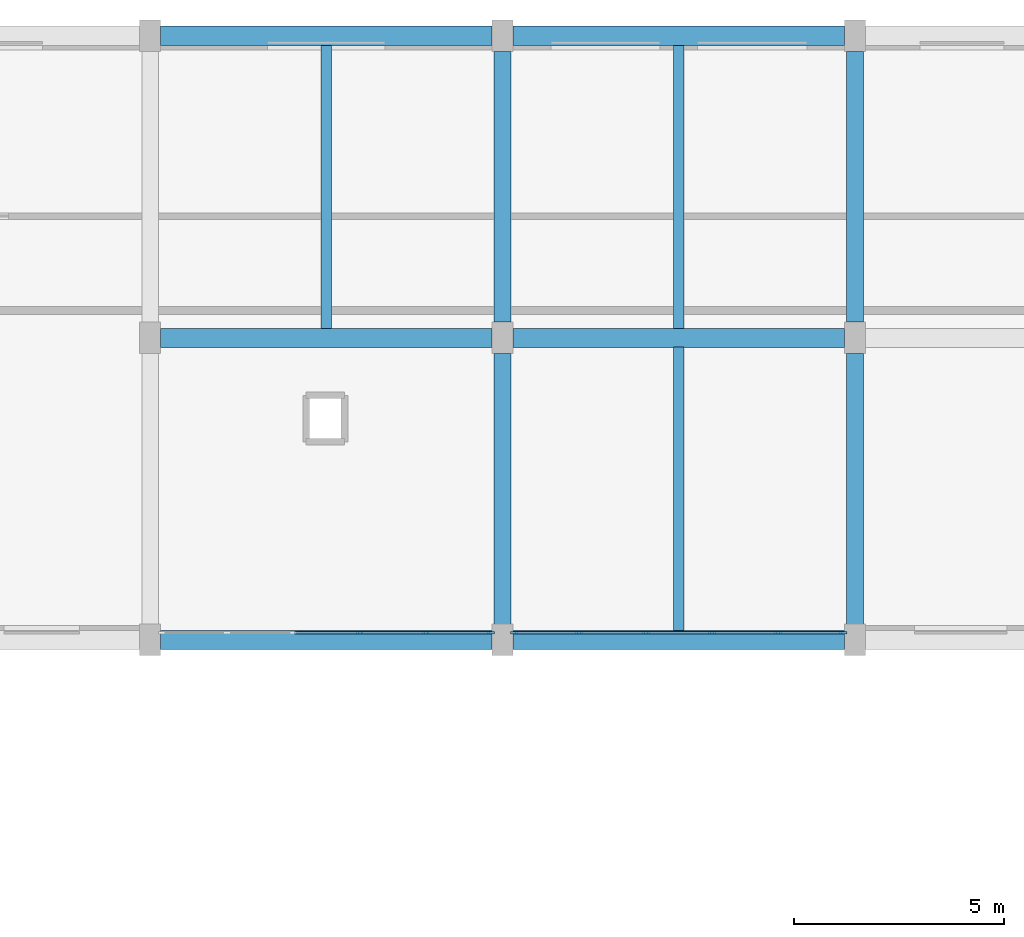
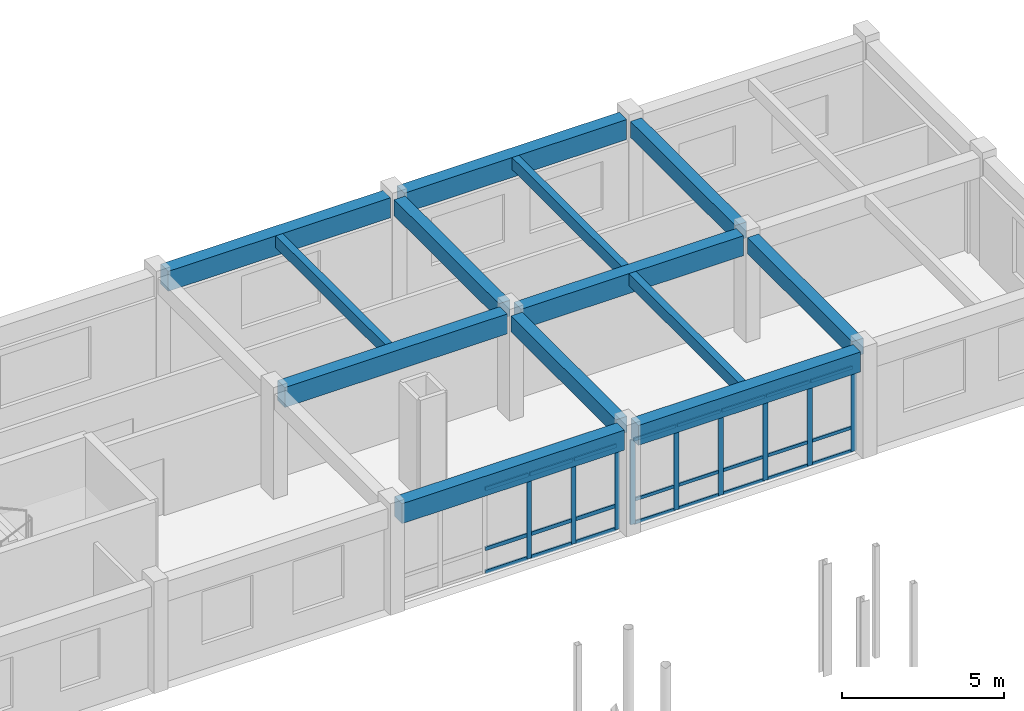
# One storey, part 52 of 90: 33 members, 13 beams, 2 elements without a shape of their own.
"""IFC4 building model written with IfcOpenShell, lengths in metres."""

import ifcopenshell
import ifcopenshell.guid

model = None  # the IFC model being written
_history = None  # IfcOwnerHistory: only IFC2X3 demands one
_inside = {}  # id of a spatial element -> (the spatial element, [elements in it])
_under = {}  # id of a project, library or spatial element -> (it, [spatial elements below it])
_declared = {}  # id of a project -> (the project, [libraries it declares])
_typed = {}  # id of a type object -> (the type object, [elements of that type])
_made_of = {}  # id of a material, layer set ... -> (it, [elements and type objects made of it])


def new_model(schema):
    """Start an empty IFC model of exactly this schema.

    Asked for "IFC4X3", IfcOpenShell would pick the latest addendum, in which some entities
    have other attributes; the version numbers below select the first issue.
    IFC2X3 requires an IfcOwnerHistory on every rooted entity: one is made here for all.
    """
    global model, _history
    if schema == "IFC4X3":
        model = ifcopenshell.file(schema_version=(4, 3, 0, 0))
    else:
        model = ifcopenshell.file(schema=schema)
    _inside.clear()
    _under.clear()
    _declared.clear()
    _typed.clear()
    _made_of.clear()
    _history = None
    if model.schema == "IFC2X3":
        org = make("IfcOrganization", Name="unknown")
        user = make(
            "IfcPersonAndOrganization",
            ThePerson=make("IfcPerson", FamilyName="unknown"),
            TheOrganization=org,
        )
        app = make(
            "IfcApplication",
            ApplicationDeveloper=org,
            Version="unknown",
            ApplicationFullName="unknown",
            ApplicationIdentifier="unknown",
        )
        _history = make(
            "IfcOwnerHistory",
            OwningUser=user,
            OwningApplication=app,
            ChangeAction="ADDED",
            CreationDate=0,
        )
    return model


def make(cls, **values):
    """One entity of the class cls with the attributes given. An attribute that is None is left unset."""
    return model.create_entity(
        cls, **{name: value for name, value in values.items() if value is not None}
    )


def rooted(cls, **values):
    """An entity with a GlobalId (a new one), such as an element, a storey or a relation."""
    return make(cls, GlobalId=ifcopenshell.guid.new(), OwnerHistory=_history, **values)


def si_unit(unit_type, name, prefix=None):
    """IfcSIUnit, for example si_unit("LENGTHUNIT", "METRE", prefix="MILLI")."""
    return make("IfcSIUnit", UnitType=unit_type, Prefix=prefix, Name=name)


def assignment(units):
    """IfcUnitAssignment: the units of a project."""
    return None if units is None else make("IfcUnitAssignment", Units=units)


def point(xyz):
    """IfcCartesianPoint."""
    return None if xyz is None else make("IfcCartesianPoint", Coordinates=xyz)


def direction(xyz):
    """IfcDirection."""
    return None if xyz is None else make("IfcDirection", DirectionRatios=xyz)


def frame(location, z_axis=None, x_axis=None):
    """IfcAxis2Placement3D, a coordinate frame: its origin and axes. An axis left out is left unset."""
    return make(
        "IfcAxis2Placement3D",
        Location=point(location),
        Axis=direction(z_axis),
        RefDirection=direction(x_axis),
    )


def frame_2d(location, x_axis=None):
    """IfcAxis2Placement2D, a coordinate frame in the plane: its origin and x axis."""
    return make(
        "IfcAxis2Placement2D", Location=point(location), RefDirection=direction(x_axis)
    )


def origin():
    """The frame at (0, 0, 0) with its axes left unset."""
    return frame((0.0, 0.0, 0.0))


def origin_2d():
    """The frame at (0, 0) in the plane with its x axis left unset."""
    return frame_2d((0.0, 0.0))


def place(relative_to, where):
    """IfcLocalPlacement: puts the frame where relative to a parent placement (None: the world)."""
    return make(
        "IfcLocalPlacement", PlacementRelTo=relative_to, RelativePlacement=where
    )


def context(
    kind, dimensions, precision=None, world=None, true_north=None, identifier=None
):
    """IfcGeometricRepresentationContext, for example the 3D "Model" context."""
    return make(
        "IfcGeometricRepresentationContext",
        ContextIdentifier=identifier,
        ContextType=kind,
        CoordinateSpaceDimension=dimensions,
        Precision=precision,
        WorldCoordinateSystem=world,
        TrueNorth=true_north,
    )


def subcontext(parent, identifier, kind, view, scale=None):
    """IfcGeometricRepresentationSubContext, for example "Body" below "Model"."""
    return make(
        "IfcGeometricRepresentationSubContext",
        ContextIdentifier=identifier,
        ContextType=kind,
        ParentContext=parent,
        TargetScale=scale,
        TargetView=view,
    )


def project(units=None, contexts=None):
    """IfcProject with its units and contexts."""
    return rooted(
        "IfcProject",
        Name="project",
        RepresentationContexts=contexts,
        UnitsInContext=assignment(units),
    )


def spatial(cls, under=None, at=None, **own):
    """A site, building, storey or space (cls), placed at a placement, below another one or the project."""
    s = rooted(cls, ObjectPlacement=at, **own)
    if under is not None:
        _under.setdefault(under.id(), (under, []))[1].append(s)
    return s


def profile(cls, at=None, kind="AREA", **sizes):
    """A parametric profile (cls). Its sizes go by their IFC names, for example OverallWidth=200.0."""
    return make(cls, ProfileType=kind, Position=at, **sizes)


def rectangle(**sizes):
    """IfcRectangleProfileDef."""
    return profile("IfcRectangleProfileDef", **sizes)


def extrude(swept, where, along, depth):
    """IfcExtrudedAreaSolid: the profile swept, set in the frame where, extruded along a direction by depth."""
    return make(
        "IfcExtrudedAreaSolid",
        SweptArea=swept,
        Position=where,
        ExtrudedDirection=direction(along),
        Depth=depth,
    )


def shape(context_of_items, identifier, shape_type, items):
    """IfcShapeRepresentation: the items that make up one representation, for example the "Body"."""
    return make(
        "IfcShapeRepresentation",
        ContextOfItems=context_of_items,
        RepresentationIdentifier=identifier,
        RepresentationType=shape_type,
        Items=items,
    )


def material(Name=None, Category=None):
    """IfcMaterial."""
    return make("IfcMaterial", Name=Name, Category=Category)


def material_profile(
    of_material, cross_section, Name=None, Category=None, Priority=None
):
    """IfcMaterialProfile: a cross section and its material."""
    return make(
        "IfcMaterialProfile",
        Name=Name,
        Material=of_material,
        Profile=cross_section,
        Priority=Priority,
        Category=Category,
    )


def profile_set(profiles, Name=None, composite=None):
    """IfcMaterialProfileSet."""
    return make(
        "IfcMaterialProfileSet",
        Name=Name,
        MaterialProfiles=profiles,
        CompositeProfile=composite,
    )


def made_of(thing, what):
    """Note that an element or type object is made of a material, layer set ...; save() writes the relation."""
    if what is not None:
        _made_of.setdefault(what.id(), (what, []))[1].append(thing)
    return thing


def type_object(cls, material=None, **own):
    """A type object (cls), such as IfcWallType, which elements share."""
    return made_of(rooted(cls, **own), material)


def element(
    cls,
    number,
    at=None,
    inside=None,
    cuts=None,
    type_object=None,
    material=None,
    context=None,
    identifier="Body",
    shape_type=None,
    held_by="IfcProductDefinitionShape",
    body=None,
    shapes=None,
    **own,
):
    """One element of the class cls, such as IfcWall. Its Tag is "e" and its number.

    at: its placement. inside: the storey or other place that contains it. cuts: it is an
    opening in that element (IfcRelVoidsElement). A single representation is given by context,
    identifier, shape_type and body (its items); several are given by shapes. held_by: the class
    of the entity that holds the representations. save() writes the other relations.
    """
    e = rooted(cls, Tag="e%d" % number, ObjectPlacement=at, **own)
    if body is not None:
        shapes = [shape(context, identifier, shape_type, body)]
    if shapes is not None:
        e.Representation = make(held_by, Representations=shapes)
    if inside is not None:
        _inside.setdefault(inside.id(), (inside, []))[1].append(e)
    if cuts is not None:
        rooted(
            "IfcRelVoidsElement", RelatingBuildingElement=cuts, RelatedOpeningElement=e
        )
    if type_object is not None:
        _typed.setdefault(type_object.id(), (type_object, []))[1].append(e)
    return made_of(e, material)


def aggregate(whole, parts):
    """IfcRelAggregates: a whole, such as a stair, and the parts it consists of."""
    return rooted("IfcRelAggregates", RelatingObject=whole, RelatedObjects=parts)


def save(model, path):
    """Write the relations noted so far, then the file.

    IfcRelAggregates (storeys below a building ...), IfcRelContainedInSpatialStructure (elements
    in a storey), IfcRelDefinesByType, IfcRelAssociatesMaterial and IfcRelDeclares: one each for
    every whole, place, type object, material and project.
    """
    for whole, parts in _under.values():
        aggregate(whole, parts)
    for where, things in _inside.values():
        rooted(
            "IfcRelContainedInSpatialStructure",
            RelatedElements=things,
            RelatingStructure=where,
        )
    for kind, things in _typed.values():
        rooted("IfcRelDefinesByType", RelatedObjects=things, RelatingType=kind)
    for what, things in _made_of.values():
        rooted("IfcRelAssociatesMaterial", RelatedObjects=things, RelatingMaterial=what)
    for by, libraries in _declared.values():
        rooted("IfcRelDeclares", RelatingContext=by, RelatedDefinitions=libraries)
    model.write(path)


model = new_model("IFC4")

# Units and contexts
model_context = context("Model", 3, precision=1e-05, world=origin(), true_north=direction((0.0, 1.0)))
body_context = subcontext(model_context, "Body", "Model", "MODEL_VIEW")
ifc_project = project(units=[si_unit("LENGTHUNIT", "METRE"), si_unit("AREAUNIT", "SQUARE_METRE"), si_unit("VOLUMEUNIT", "CUBIC_METRE"), si_unit("PLANEANGLEUNIT", "RADIAN"), si_unit("MASSUNIT", "GRAM", prefix="KILO")], contexts=[model_context])

# Site, building, storey
site_placement = place(None, origin())
site = spatial("IfcSite", under=ifc_project, at=site_placement, CompositionType="ELEMENT")
building_placement = place(site_placement, origin())
building = spatial("IfcBuilding", under=site, at=building_placement, Name="Malvenik Polytechnic", CompositionType="ELEMENT")
storey_placement = place(building_placement, frame((0.0, 0.0, 9.300048828125)))
storey = spatial("IfcBuildingStorey", under=building, at=storey_placement, Name="L02", CompositionType="ELEMENT", Elevation=9.300048828125)

# Curtain wall, members
ifc_material_1 = material(Name="Anodised aluminium 6060-T6", Category="aluminium")
curtain_wall_type = type_object("IfcCurtainWallType", Name="ARC-CW-CW-03", PredefinedType="NOTDEFINED", material=ifc_material_1)
curtain_wall_1_placement = place(storey_placement, origin())
curtain_wall_1 = element("IfcCurtainWall", 1, at=curtain_wall_1_placement, inside=storey, type_object=curtain_wall_type, Name="Unitised Curtain Wall CW-03 L02 #158", PredefinedType="NOTDEFINED")
ifc_material_2 = material(Name="Anodised aluminium", Category="aluminium")
ifc_material_profile_1 = material_profile(ifc_material_2, rectangle(XDim=0.06005859375, YDim=0.159912109375, at=origin_2d()), Name="ALU MULLION 60x160")
ifc_profile_set_1 = profile_set([ifc_material_profile_1], Name="Anodised aluminium")
member_type_1 = type_object("IfcMemberType", Name="ARC-CWM-160", PredefinedType="MULLION", material=ifc_profile_set_1)
member_1_placement = place(storey_placement, frame((117.322021484375, 115.3701171875, 0.0), z_axis=(0.0, 0.0, 1.0), x_axis=(0.0, -1.0, 0.0)))
member_1 = element("IfcMember", 2, at=member_1_placement, type_object=member_type_1, Name="CW-03 mullion 1", PredefinedType="MULLION", context=body_context, shape_type="SweptSolid", body=[
    extrude(rectangle(XDim=0.06005859375, YDim=0.159912109375, at=origin_2d()), origin(), (0.0, 0.0, 1.0), 3.179931640625),
])
member_2_placement = place(storey_placement, frame((115.771240234375, 115.3701171875, 0.0), z_axis=(0.0, 0.0, 1.0), x_axis=(0.0, -1.0, 0.0)))
member_2 = element("IfcMember", 3, at=member_2_placement, type_object=member_type_1, Name="CW-03 mullion 2", PredefinedType="MULLION", context=body_context, shape_type="SweptSolid", body=[
    extrude(rectangle(XDim=0.06005859375, YDim=0.159912109375, at=origin_2d()), origin(), (0.0, 0.0, 1.0), 3.179931640625),
])
member_3_placement = place(storey_placement, frame((114.1904296875, 115.3701171875, 0.0), z_axis=(0.0, 0.0, 1.0), x_axis=(0.0, -1.0, 0.0)))
member_3 = element("IfcMember", 4, at=member_3_placement, type_object=member_type_1, Name="CW-03 mullion 3", PredefinedType="MULLION", context=body_context, shape_type="SweptSolid", body=[
    extrude(rectangle(XDim=0.06005859375, YDim=0.159912109375, at=origin_2d()), origin(), (0.0, 0.0, 1.0), 3.179931640625),
])

curtain_wall_2_placement = place(storey_placement, origin())
curtain_wall_2 = element("IfcCurtainWall", 5, at=curtain_wall_2_placement, inside=storey, type_object=curtain_wall_type, Name="Unitised Curtain Wall CW-03 L02 #157", PredefinedType="NOTDEFINED")
ifc_material_profile_2 = material_profile(ifc_material_2, rectangle(XDim=0.06005859375, YDim=0.179931640625, at=origin_2d()), Name="ALU MULLION 60x180")
ifc_profile_set_2 = profile_set([ifc_material_profile_2], Name="Anodised aluminium")
member_type_2 = type_object("IfcMemberType", Name="ARC-CWM-180", PredefinedType="MULLION", material=ifc_profile_set_2)
member_4_placement = place(storey_placement, frame((125.721923828125, 115.3701171875, 0.0), z_axis=(0.0, 0.0, 1.0), x_axis=(0.0, -1.0, 0.0)))
member_4 = element("IfcMember", 6, at=member_4_placement, type_object=member_type_2, Name="CW-03 mullion 1", PredefinedType="MULLION", context=body_context, shape_type="SweptSolid", body=[
    extrude(rectangle(XDim=0.06005859375, YDim=0.179931640625, at=origin_2d()), origin(), (0.0, 0.0, 1.0), 3.179931640625),
])
member_5_placement = place(storey_placement, frame((124.171142578125, 115.3701171875, 0.0), z_axis=(0.0, 0.0, 1.0), x_axis=(0.0, -1.0, 0.0)))
member_5 = element("IfcMember", 7, at=member_5_placement, type_object=member_type_2, Name="CW-03 mullion 2", PredefinedType="MULLION", context=body_context, shape_type="SweptSolid", body=[
    extrude(rectangle(XDim=0.06005859375, YDim=0.179931640625, at=origin_2d()), origin(), (0.0, 0.0, 1.0), 3.179931640625),
])
member_6_placement = place(storey_placement, frame((122.59033203125, 115.3701171875, 0.0), z_axis=(0.0, 0.0, 1.0), x_axis=(0.0, -1.0, 0.0)))
member_6 = element("IfcMember", 8, at=member_6_placement, type_object=member_type_2, Name="CW-03 mullion 3", PredefinedType="MULLION", context=body_context, shape_type="SweptSolid", body=[
    extrude(rectangle(XDim=0.06005859375, YDim=0.179931640625, at=origin_2d()), origin(), (0.0, 0.0, 1.0), 3.179931640625),
])
member_7_placement = place(storey_placement, frame((121.009521484375, 115.3701171875, 0.0), z_axis=(0.0, 0.0, 1.0), x_axis=(0.0, -1.0, 0.0)))
member_7 = element("IfcMember", 9, at=member_7_placement, type_object=member_type_2, Name="CW-03 mullion 4", PredefinedType="MULLION", context=body_context, shape_type="SweptSolid", body=[
    extrude(rectangle(XDim=0.06005859375, YDim=0.179931640625, at=origin_2d()), origin(), (0.0, 0.0, 1.0), 3.179931640625),
])
member_8_placement = place(storey_placement, frame((119.4287109375, 115.3701171875, 0.0), z_axis=(0.0, 0.0, 1.0), x_axis=(0.0, -1.0, 0.0)))
member_8 = element("IfcMember", 10, at=member_8_placement, type_object=member_type_2, Name="CW-03 mullion 5", PredefinedType="MULLION", context=body_context, shape_type="SweptSolid", body=[
    extrude(rectangle(XDim=0.06005859375, YDim=0.179931640625, at=origin_2d()), origin(), (0.0, 0.0, 1.0), 3.179931640625),
])
member_9_placement = place(storey_placement, frame((117.8779296875, 115.3701171875, 0.0), z_axis=(0.0, 0.0, 1.0), x_axis=(0.0, -1.0, 0.0)))
member_9 = element("IfcMember", 11, at=member_9_placement, type_object=member_type_2, Name="CW-03 mullion 6", PredefinedType="MULLION", context=body_context, shape_type="SweptSolid", body=[
    extrude(rectangle(XDim=0.06005859375, YDim=0.179931640625, at=origin_2d()), origin(), (0.0, 0.0, 1.0), 3.179931640625),
])
ifc_material_profile_3 = material_profile(ifc_material_2, rectangle(XDim=0.06005859375, YDim=0.1201171875, at=origin_2d()), Name="ALU TRANSOM 60x120")
ifc_profile_set_3 = profile_set([ifc_material_profile_3], Name="Anodised aluminium")
member_type_3 = type_object("IfcMemberType", Name="ARC-CWT-120", PredefinedType="USERDEFINED", material=ifc_profile_set_3)
member_10_placement = place(storey_placement, frame((125.69189453125, 115.3701171875, 0.030029296875), z_axis=(-1.0, 0.0, 0.0), x_axis=(0.0, -1.0, 0.0)))
member_10 = element("IfcMember", 12, at=member_10_placement, type_object=member_type_3, Name="CW-03 transom 1.1", ObjectType="TRANSOM", PredefinedType="USERDEFINED", context=body_context, shape_type="SweptSolid", body=[
    extrude(rectangle(XDim=0.06005859375, YDim=0.1201171875, at=origin_2d()), origin(), (0.0, 0.0, 1.0), 1.49072265625),
])
member_11_placement = place(storey_placement, frame((125.69189453125, 115.3701171875, 0.89990234375), z_axis=(-1.0, 0.0, 0.0), x_axis=(0.0, -1.0, 0.0)))
member_11 = element("IfcMember", 13, at=member_11_placement, type_object=member_type_3, Name="CW-03 transom 1.2", ObjectType="TRANSOM", PredefinedType="USERDEFINED", context=body_context, shape_type="SweptSolid", body=[
    extrude(rectangle(XDim=0.06005859375, YDim=0.1201171875, at=origin_2d()), origin(), (0.0, 0.0, 1.0), 1.49072265625),
])
member_12_placement = place(storey_placement, frame((125.69189453125, 115.3701171875, 3.14990234375), z_axis=(-1.0, 0.0, 0.0), x_axis=(0.0, -1.0, 0.0)))
member_12 = element("IfcMember", 14, at=member_12_placement, type_object=member_type_3, Name="CW-03 transom 1.3", ObjectType="TRANSOM", PredefinedType="USERDEFINED", context=body_context, shape_type="SweptSolid", body=[
    extrude(rectangle(XDim=0.06005859375, YDim=0.1201171875, at=origin_2d()), origin(), (0.0, 0.0, 1.0), 1.49072265625),
])
member_13_placement = place(storey_placement, frame((124.14111328125, 115.3701171875, 0.030029296875), z_axis=(-1.0, 0.0, 0.0), x_axis=(0.0, -1.0, 0.0)))
member_13 = element("IfcMember", 15, at=member_13_placement, type_object=member_type_3, Name="CW-03 transom 2.1", ObjectType="TRANSOM", PredefinedType="USERDEFINED", context=body_context, shape_type="SweptSolid", body=[
    extrude(rectangle(XDim=0.06005859375, YDim=0.1201171875, at=origin_2d()), origin(), (0.0, 0.0, 1.0), 1.520751953125),
])
member_14_placement = place(storey_placement, frame((124.14111328125, 115.3701171875, 0.89990234375), z_axis=(-1.0, 0.0, 0.0), x_axis=(0.0, -1.0, 0.0)))
member_14 = element("IfcMember", 16, at=member_14_placement, type_object=member_type_3, Name="CW-03 transom 2.2", ObjectType="TRANSOM", PredefinedType="USERDEFINED", context=body_context, shape_type="SweptSolid", body=[
    extrude(rectangle(XDim=0.06005859375, YDim=0.1201171875, at=origin_2d()), origin(), (0.0, 0.0, 1.0), 1.520751953125),
])
member_15_placement = place(storey_placement, frame((124.14111328125, 115.3701171875, 3.14990234375), z_axis=(-1.0, 0.0, 0.0), x_axis=(0.0, -1.0, 0.0)))
member_15 = element("IfcMember", 17, at=member_15_placement, type_object=member_type_3, Name="CW-03 transom 2.3", ObjectType="TRANSOM", PredefinedType="USERDEFINED", context=body_context, shape_type="SweptSolid", body=[
    extrude(rectangle(XDim=0.06005859375, YDim=0.1201171875, at=origin_2d()), origin(), (0.0, 0.0, 1.0), 1.520751953125),
])
member_16_placement = place(storey_placement, frame((122.560302734375, 115.3701171875, 0.030029296875), z_axis=(-1.0, 0.0, 0.0), x_axis=(0.0, -1.0, 0.0)))
member_16 = element("IfcMember", 18, at=member_16_placement, type_object=member_type_3, Name="CW-03 transom 3.1", ObjectType="TRANSOM", PredefinedType="USERDEFINED", context=body_context, shape_type="SweptSolid", body=[
    extrude(rectangle(XDim=0.06005859375, YDim=0.1201171875, at=origin_2d()), origin(), (0.0, 0.0, 1.0), 1.520751953125),
])
member_17_placement = place(storey_placement, frame((122.560302734375, 115.3701171875, 0.89990234375), z_axis=(-1.0, 0.0, 0.0), x_axis=(0.0, -1.0, 0.0)))
member_17 = element("IfcMember", 19, at=member_17_placement, type_object=member_type_3, Name="CW-03 transom 3.2", ObjectType="TRANSOM", PredefinedType="USERDEFINED", context=body_context, shape_type="SweptSolid", body=[
    extrude(rectangle(XDim=0.06005859375, YDim=0.1201171875, at=origin_2d()), origin(), (0.0, 0.0, 1.0), 1.520751953125),
])
member_18_placement = place(storey_placement, frame((122.560302734375, 115.3701171875, 3.14990234375), z_axis=(-1.0, 0.0, 0.0), x_axis=(0.0, -1.0, 0.0)))
member_18 = element("IfcMember", 20, at=member_18_placement, type_object=member_type_3, Name="CW-03 transom 3.3", ObjectType="TRANSOM", PredefinedType="USERDEFINED", context=body_context, shape_type="SweptSolid", body=[
    extrude(rectangle(XDim=0.06005859375, YDim=0.1201171875, at=origin_2d()), origin(), (0.0, 0.0, 1.0), 1.520751953125),
])
member_19_placement = place(storey_placement, frame((120.9794921875, 115.3701171875, 0.030029296875), z_axis=(-1.0, 0.0, 0.0), x_axis=(0.0, -1.0, 0.0)))
member_19 = element("IfcMember", 21, at=member_19_placement, type_object=member_type_3, Name="CW-03 transom 4.1", ObjectType="TRANSOM", PredefinedType="USERDEFINED", context=body_context, shape_type="SweptSolid", body=[
    extrude(rectangle(XDim=0.06005859375, YDim=0.1201171875, at=origin_2d()), origin(), (0.0, 0.0, 1.0), 1.520751953125),
])
member_20_placement = place(storey_placement, frame((120.9794921875, 115.3701171875, 0.89990234375), z_axis=(-1.0, 0.0, 0.0), x_axis=(0.0, -1.0, 0.0)))
member_20 = element("IfcMember", 22, at=member_20_placement, type_object=member_type_3, Name="CW-03 transom 4.2", ObjectType="TRANSOM", PredefinedType="USERDEFINED", context=body_context, shape_type="SweptSolid", body=[
    extrude(rectangle(XDim=0.06005859375, YDim=0.1201171875, at=origin_2d()), origin(), (0.0, 0.0, 1.0), 1.520751953125),
])
member_21_placement = place(storey_placement, frame((120.9794921875, 115.3701171875, 3.14990234375), z_axis=(-1.0, 0.0, 0.0), x_axis=(0.0, -1.0, 0.0)))
member_21 = element("IfcMember", 23, at=member_21_placement, type_object=member_type_3, Name="CW-03 transom 4.3", ObjectType="TRANSOM", PredefinedType="USERDEFINED", context=body_context, shape_type="SweptSolid", body=[
    extrude(rectangle(XDim=0.06005859375, YDim=0.1201171875, at=origin_2d()), origin(), (0.0, 0.0, 1.0), 1.520751953125),
])
member_22_placement = place(storey_placement, frame((119.398681640625, 115.3701171875, 0.030029296875), z_axis=(-1.0, 0.0, 0.0), x_axis=(0.0, -1.0, 0.0)))
member_22 = element("IfcMember", 24, at=member_22_placement, type_object=member_type_3, Name="CW-03 transom 5.1", ObjectType="TRANSOM", PredefinedType="USERDEFINED", context=body_context, shape_type="SweptSolid", body=[
    extrude(rectangle(XDim=0.06005859375, YDim=0.1201171875, at=origin_2d()), origin(), (0.0, 0.0, 1.0), 1.49072265625),
])
member_23_placement = place(storey_placement, frame((119.398681640625, 115.3701171875, 0.89990234375), z_axis=(-1.0, 0.0, 0.0), x_axis=(0.0, -1.0, 0.0)))
member_23 = element("IfcMember", 25, at=member_23_placement, type_object=member_type_3, Name="CW-03 transom 5.2", ObjectType="TRANSOM", PredefinedType="USERDEFINED", context=body_context, shape_type="SweptSolid", body=[
    extrude(rectangle(XDim=0.06005859375, YDim=0.1201171875, at=origin_2d()), origin(), (0.0, 0.0, 1.0), 1.49072265625),
])
member_24_placement = place(storey_placement, frame((119.398681640625, 115.3701171875, 3.14990234375), z_axis=(-1.0, 0.0, 0.0), x_axis=(0.0, -1.0, 0.0)))
member_24 = element("IfcMember", 26, at=member_24_placement, type_object=member_type_3, Name="CW-03 transom 5.3", ObjectType="TRANSOM", PredefinedType="USERDEFINED", context=body_context, shape_type="SweptSolid", body=[
    extrude(rectangle(XDim=0.06005859375, YDim=0.1201171875, at=origin_2d()), origin(), (0.0, 0.0, 1.0), 1.49072265625),
])
aggregate(curtain_wall_2, [member_4, member_5, member_6, member_7, member_8, member_9, member_10, member_11, member_12, member_13, member_14, member_15, member_16, member_17, member_18, member_19, member_20, member_21, member_22, member_23, member_24])

# Member
ifc_material_profile_4 = material_profile(ifc_material_2, rectangle(XDim=0.06005859375, YDim=0.139892578125, at=origin_2d()), Name="ALU TRANSOM 60x140")
ifc_profile_set_4 = profile_set([ifc_material_profile_4], Name="Anodised aluminium")
member_type_4 = type_object("IfcMemberType", Name="ARC-CWT-140", PredefinedType="USERDEFINED", material=ifc_profile_set_4)
member_25_placement = place(storey_placement, frame((117.2919921875, 115.3701171875, 0.030029296875), z_axis=(-1.0, 0.0, 0.0), x_axis=(0.0, -1.0, 0.0)))
member_25 = element("IfcMember", 27, at=member_25_placement, type_object=member_type_4, Name="CW-03 transom 1.1", ObjectType="TRANSOM", PredefinedType="USERDEFINED", context=body_context, shape_type="SweptSolid", body=[
    extrude(rectangle(XDim=0.06005859375, YDim=0.139892578125, at=origin_2d()), origin(), (0.0, 0.0, 1.0), 1.49072265625),
])

member_26_placement = place(storey_placement, frame((117.2919921875, 115.3701171875, 0.89990234375), z_axis=(-1.0, 0.0, 0.0), x_axis=(0.0, -1.0, 0.0)))
member_26 = element("IfcMember", 28, at=member_26_placement, type_object=member_type_4, Name="CW-03 transom 1.2", ObjectType="TRANSOM", PredefinedType="USERDEFINED", context=body_context, shape_type="SweptSolid", body=[
    extrude(rectangle(XDim=0.06005859375, YDim=0.139892578125, at=origin_2d()), origin(), (0.0, 0.0, 1.0), 1.49072265625),
])

member_27_placement = place(storey_placement, frame((117.2919921875, 115.3701171875, 3.14990234375), z_axis=(-1.0, 0.0, 0.0), x_axis=(0.0, -1.0, 0.0)))
member_27 = element("IfcMember", 29, at=member_27_placement, type_object=member_type_4, Name="CW-03 transom 1.3", ObjectType="TRANSOM", PredefinedType="USERDEFINED", context=body_context, shape_type="SweptSolid", body=[
    extrude(rectangle(XDim=0.06005859375, YDim=0.139892578125, at=origin_2d()), origin(), (0.0, 0.0, 1.0), 1.49072265625),
])

member_28_placement = place(storey_placement, frame((115.7412109375, 115.3701171875, 0.030029296875), z_axis=(-1.0, 0.0, 0.0), x_axis=(0.0, -1.0, 0.0)))
member_28 = element("IfcMember", 30, at=member_28_placement, type_object=member_type_4, Name="CW-03 transom 2.1", ObjectType="TRANSOM", PredefinedType="USERDEFINED", context=body_context, shape_type="SweptSolid", body=[
    extrude(rectangle(XDim=0.06005859375, YDim=0.139892578125, at=origin_2d()), origin(), (0.0, 0.0, 1.0), 1.520751953125),
])

member_29_placement = place(storey_placement, frame((115.7412109375, 115.3701171875, 0.89990234375), z_axis=(-1.0, 0.0, 0.0), x_axis=(0.0, -1.0, 0.0)))
member_29 = element("IfcMember", 31, at=member_29_placement, type_object=member_type_4, Name="CW-03 transom 2.2", ObjectType="TRANSOM", PredefinedType="USERDEFINED", context=body_context, shape_type="SweptSolid", body=[
    extrude(rectangle(XDim=0.06005859375, YDim=0.139892578125, at=origin_2d()), origin(), (0.0, 0.0, 1.0), 1.520751953125),
])

member_30_placement = place(storey_placement, frame((115.7412109375, 115.3701171875, 3.14990234375), z_axis=(-1.0, 0.0, 0.0), x_axis=(0.0, -1.0, 0.0)))
member_30 = element("IfcMember", 32, at=member_30_placement, type_object=member_type_4, Name="CW-03 transom 2.3", ObjectType="TRANSOM", PredefinedType="USERDEFINED", context=body_context, shape_type="SweptSolid", body=[
    extrude(rectangle(XDim=0.06005859375, YDim=0.139892578125, at=origin_2d()), origin(), (0.0, 0.0, 1.0), 1.520751953125),
])

member_31_placement = place(storey_placement, frame((114.160400390625, 115.3701171875, 0.030029296875), z_axis=(-1.0, 0.0, 0.0), x_axis=(0.0, -1.0, 0.0)))
member_31 = element("IfcMember", 33, at=member_31_placement, type_object=member_type_4, Name="CW-03 transom 3.1", ObjectType="TRANSOM", PredefinedType="USERDEFINED", context=body_context, shape_type="SweptSolid", body=[
    extrude(rectangle(XDim=0.06005859375, YDim=0.139892578125, at=origin_2d()), origin(), (0.0, 0.0, 1.0), 1.520751953125),
])

member_32_placement = place(storey_placement, frame((114.160400390625, 115.3701171875, 0.89990234375), z_axis=(-1.0, 0.0, 0.0), x_axis=(0.0, -1.0, 0.0)))
member_32 = element("IfcMember", 34, at=member_32_placement, type_object=member_type_4, Name="CW-03 transom 3.2", ObjectType="TRANSOM", PredefinedType="USERDEFINED", context=body_context, shape_type="SweptSolid", body=[
    extrude(rectangle(XDim=0.06005859375, YDim=0.139892578125, at=origin_2d()), origin(), (0.0, 0.0, 1.0), 1.520751953125),
])

member_33_placement = place(storey_placement, frame((114.160400390625, 115.3701171875, 3.14990234375), z_axis=(-1.0, 0.0, 0.0), x_axis=(0.0, -1.0, 0.0)))
member_33 = element("IfcMember", 35, at=member_33_placement, type_object=member_type_4, Name="CW-03 transom 3.3", ObjectType="TRANSOM", PredefinedType="USERDEFINED", context=body_context, shape_type="SweptSolid", body=[
    extrude(rectangle(XDim=0.06005859375, YDim=0.139892578125, at=origin_2d()), origin(), (0.0, 0.0, 1.0), 1.520751953125),
])

aggregate(curtain_wall_1, [member_1, member_2, member_3, member_25, member_26, member_27, member_28, member_29, member_30, member_31, member_32, member_33])

# Beams
ifc_material_3 = material(Name="Concrete C35/45", Category="concrete")
ifc_material_profile_5 = material_profile(ifc_material_3, rectangle(XDim=0.449951171875, YDim=0.75, at=origin_2d()), Name="RC BM 450x750")
ifc_profile_set_5 = profile_set([ifc_material_profile_5], Name="Concrete C35/45")
beam_type_1 = type_object("IfcBeamType", Name="STR-BM-B-03", PredefinedType="BEAM", material=ifc_profile_set_5)
for number, where, z_axis, x_axis, name in (
    (36, (109.447998046875, 122.39990234375, 3.56494140625), (1.0, 0.0, 0.0), (0.0, 1.0, 0.0), "Primary Beam B-03 L02 #1444"),
    (37, (117.847900390625, 122.39990234375, 3.56494140625), (1.0, 0.0, 0.0), (0.0, 1.0, 0.0), "Primary Beam B-03 L02 #1445"),
):
    element("IfcBeam", number, at=place(storey_placement, frame(where, z_axis=z_axis, x_axis=x_axis)), inside=storey, type_object=beam_type_1, Name=name, PredefinedType="BEAM", context=body_context, shape_type="SweptSolid", body=[
        extrude(rectangle(XDim=0.449951171875, YDim=0.75, at=origin_2d()), origin(), (0.0, 0.0, 1.0), 7.904052734375),
    ])
ifc_material_profile_6 = material_profile(ifc_material_3, rectangle(XDim=0.39990234375, YDim=0.60009765625, at=origin_2d()), Name="RC BM 400x600")
ifc_profile_set_6 = profile_set([ifc_material_profile_6], Name="Concrete C35/45")
beam_type_2 = type_object("IfcBeamType", Name="STR-BM-B-06", PredefinedType="BEAM", material=ifc_profile_set_6)
for number, where, z_axis, x_axis, name in (
    (38, (117.60009765625, 115.572998046875, 3.639892578125), (0.0, 1.0, 0.0), (-1.0, 0.0, 0.0), "Transverse Beam B-06 L02 #1547"),
    (39, (117.60009765625, 122.77294921875, 3.639892578125), (0.0, 1.0, 0.0), (-1.0, 0.0, 0.0), "Transverse Beam B-06 L02 #1548"),
    (40, (126.0, 115.572998046875, 3.639892578125), (0.0, 1.0, 0.0), (-1.0, 0.0, 0.0), "Transverse Beam B-06 L02 #1553"),
    (41, (126.0, 122.77294921875, 3.639892578125), (0.0, 1.0, 0.0), (-1.0, 0.0, 0.0), "Transverse Beam B-06 L02 #1554"),
):
    element("IfcBeam", number, at=place(storey_placement, frame(where, z_axis=z_axis, x_axis=x_axis)), inside=storey, type_object=beam_type_2, Name=name, PredefinedType="BEAM", context=body_context, shape_type="SweptSolid", body=[
        extrude(rectangle(XDim=0.39990234375, YDim=0.60009765625, at=origin_2d()), origin(), (0.0, 0.0, 1.0), 6.4541015625),
    ])
ifc_material_4 = material(Name="Concrete C30/37", Category="concrete")
ifc_material_profile_7 = material_profile(ifc_material_4, rectangle(XDim=0.25, YDim=0.449951171875, at=origin_2d()), Name="RC JST 250x450")
ifc_profile_set_7 = profile_set([ifc_material_profile_7], Name="Concrete C30/37")
beam_type_3 = type_object("IfcBeamType", Name="STR-BM-J-02", PredefinedType="JOIST", material=ifc_profile_set_7)
for number, where, z_axis, x_axis, name in (
    (42, (113.39990234375, 122.623046875, 3.71484375), (0.0, 1.0, 0.0), (-1.0, 0.0, 0.0), "Secondary Rib Joist J-02 L02 #1610"),
    (43, (121.800048828125, 115.427978515625, 3.71484375), (0.0, 1.0, 0.0), (-1.0, 0.0, 0.0), "Secondary Rib Joist J-02 L02 #1615"),
    (44, (121.800048828125, 122.623046875, 3.71484375), (0.0, 1.0, 0.0), (-1.0, 0.0, 0.0), "Secondary Rib Joist J-02 L02 #1616"),
):
    element("IfcBeam", number, at=place(storey_placement, frame(where, z_axis=z_axis, x_axis=x_axis)), inside=storey, type_object=beam_type_3, Name=name, PredefinedType="JOIST", context=body_context, shape_type="SweptSolid", body=[
        extrude(rectangle(XDim=0.25, YDim=0.449951171875, at=origin_2d()), origin(), (0.0, 0.0, 1.0), 6.7490234375),
    ])
ifc_material_5 = material(Name="Precast concrete C40/50", Category="concrete")
ifc_material_profile_8 = material_profile(ifc_material_5, rectangle(XDim=0.4599609375, YDim=0.75, at=origin_2d()), Name="PC SPN 460x750")
ifc_profile_set_8 = profile_set([ifc_material_profile_8], Name="Precast concrete C40/50")
beam_type_4 = type_object("IfcBeamType", Name="STR-BM-SP-02", PredefinedType="SPANDREL", material=ifc_profile_set_8)
for number, where, z_axis, x_axis, name in (
    (45, (109.447998046875, 115.199951171875, 3.56494140625), (1.0, 0.0, 0.0), (0.0, 1.0, 0.0), "Primary Beam SP-02 L02 #1434"),
    (46, (117.847900390625, 115.199951171875, 3.56494140625), (1.0, 0.0, 0.0), (0.0, 1.0, 0.0), "Primary Beam SP-02 L02 #1435"),
    (47, (109.447998046875, 129.60009765625, 3.56494140625), (1.0, 0.0, 0.0), (0.0, 1.0, 0.0), "Primary Beam SP-02 L02 #1460"),
    (48, (117.847900390625, 129.60009765625, 3.56494140625), (1.0, 0.0, 0.0), (0.0, 1.0, 0.0), "Primary Beam SP-02 L02 #1461"),
):
    element("IfcBeam", number, at=place(storey_placement, frame(where, z_axis=z_axis, x_axis=x_axis)), inside=storey, type_object=beam_type_4, Name=name, PredefinedType="SPANDREL", context=body_context, shape_type="SweptSolid", body=[
        extrude(rectangle(XDim=0.4599609375, YDim=0.75, at=origin_2d()), origin(), (0.0, 0.0, 1.0), 7.904052734375),
    ])

save(model, "model.ifc")
